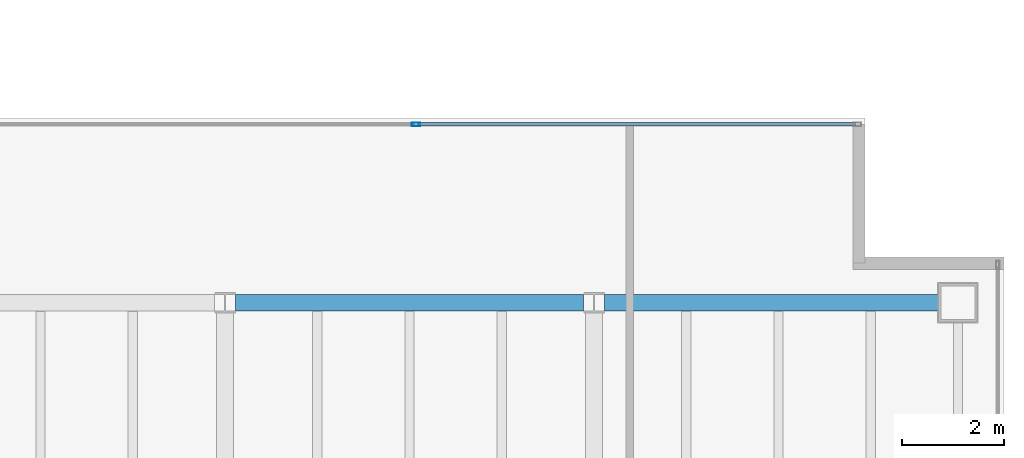
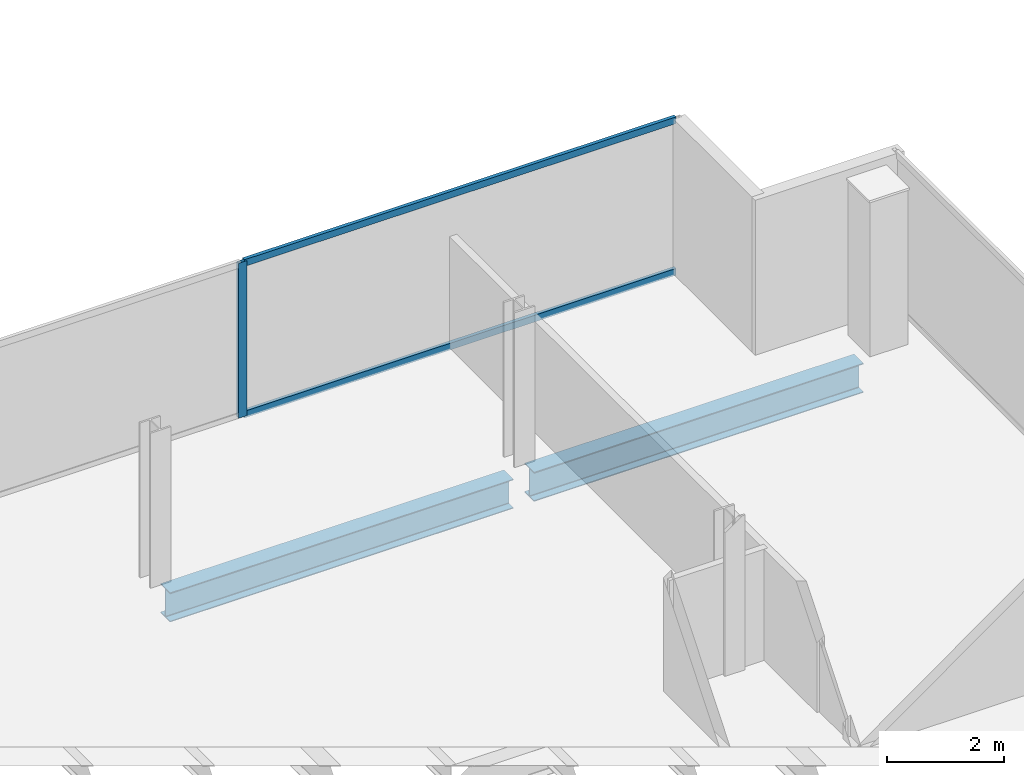
# One storey, part 15 of 23: 3 members, 2 beams, 1 element without a shape of its own.
"""IFC4 building model written with IfcOpenShell, lengths in metres."""

from ifc_helpers import new_model, si_unit, direction, frame, origin, origin_2d, place, context, subcontext, project, spatial, hollow_rectangle, i_section, extrude, material, material_profile, profile_set, type_object, element, aggregate, save


model = new_model("IFC4")

# Units and contexts
model_context = context("Model", 3, precision=1e-05, world=origin(), true_north=direction((0.0, 1.0)))
body_context = subcontext(model_context, "Body", "Model", "MODEL_VIEW")
ifc_project = project(units=[si_unit("LENGTHUNIT", "METRE"), si_unit("AREAUNIT", "SQUARE_METRE"), si_unit("VOLUMEUNIT", "CUBIC_METRE"), si_unit("PLANEANGLEUNIT", "RADIAN"), si_unit("MASSUNIT", "GRAM", prefix="KILO")], contexts=[model_context])

# Site, building, storey
site_placement = place(None, origin())
site = spatial("IfcSite", under=ifc_project, at=site_placement, CompositionType="ELEMENT")
building_placement = place(site_placement, origin())
building = spatial("IfcBuilding", under=site, at=building_placement, Name="Cobrela Telecom Tower", CompositionType="ELEMENT")
storey_placement = place(building_placement, frame((0.0, 0.0, 229.25)))
storey = spatial("IfcBuildingStorey", under=building, at=storey_placement, Name="L59", CompositionType="ELEMENT", Elevation=229.25)

# Beams
ifc_material_1 = material(Name="Steel ASTM A992 Grade 50", Category="steel")
ifc_material_profile_1 = material_profile(ifc_material_1, i_section(OverallWidth=0.324951171875, OverallDepth=0.612060546875, WebThickness=0.0126953125, FlangeThickness=0.01904296875, FilletRadius=0.014892578125, at=origin_2d()), Name="W24X104")
ifc_profile_set_1 = profile_set([ifc_material_profile_1], Name="Steel ASTM A992 Grade 50")
beam_type = type_object("IfcBeamType", Name="BM-GIRD-07", PredefinedType="USERDEFINED", material=ifc_profile_set_1)
beam_1_placement = place(storey_placement, frame((29.00439453125, 21.60009765625, -0.56591796875), z_axis=(1.0, 0.0, 0.0), x_axis=(0.0, 1.0, 0.0)))
element("IfcBeam", 1, at=beam_1_placement, inside=storey, type_object=beam_type, Name="L59 Primary Girder X17", ObjectType="GIRDER", PredefinedType="USERDEFINED", context=body_context, shape_type="SweptSolid", body=[
    extrude(i_section(OverallWidth=0.324951171875, OverallDepth=0.612060546875, WebThickness=0.0126953125, FlangeThickness=0.01904296875, FilletRadius=0.014892578125, at=origin_2d()), origin(), (0.0, 0.0, 1.0), 6.791015625),
])
beam_2_placement = place(storey_placement, frame((36.20458984375, 21.60009765625, -0.56591796875), z_axis=(1.0, 0.0, 0.0), x_axis=(0.0, 1.0, 0.0)))
element("IfcBeam", 2, at=beam_2_placement, inside=storey, type_object=beam_type, Name="L59 Primary Girder X18", ObjectType="GIRDER", PredefinedType="USERDEFINED", context=body_context, shape_type="SweptSolid", body=[
    extrude(i_section(OverallWidth=0.324951171875, OverallDepth=0.612060546875, WebThickness=0.0126953125, FlangeThickness=0.01904296875, FilletRadius=0.014892578125, at=origin_2d()), origin(), (0.0, 0.0, 1.0), 6.515380859375),
])

# Curtain wall, members
ifc_material_2 = material(Name="Anodized Bronze Aluminium 6063-T6", Category="aluminium")
curtain_wall_type = type_object("IfcCurtainWallType", Name="CW-SYS-OFF-LO", PredefinedType="USERDEFINED", material=ifc_material_2)
curtain_wall_placement = place(storey_placement, origin())
curtain_wall = element("IfcCurtainWall", 3, at=curtain_wall_placement, inside=storey, type_object=curtain_wall_type, Name="L59 Unitised Bronze Curtain Wall 11", ObjectType="UNITISED CURTAIN WALL", PredefinedType="USERDEFINED")
ifc_material_profile_2 = material_profile(ifc_material_2, hollow_rectangle(XDim=0.070068359375, YDim=0.159912109375, WallThickness=0.00390625, at=origin_2d()), Name="ALU 70x160x4")
ifc_profile_set_2 = profile_set([ifc_material_profile_2], Name="Anodized Bronze Aluminium 6063-T6")
member_type_1 = type_object("IfcMemberType", Name="CW-SYS-OFF-LO-MUL", PredefinedType="MULLION", material=ifc_profile_set_2)
member_1_placement = place(storey_placement, frame((32.52490234375, 25.080078125, 0.0), z_axis=(0.0, 0.0, 1.0), x_axis=(0.0, 1.0, 0.0)))
member_1 = element("IfcMember", 4, at=member_1_placement, type_object=member_type_1, Name="CW-OFF-LO mullion 2", PredefinedType="MULLION", context=body_context, shape_type="SweptSolid", body=[
    extrude(hollow_rectangle(XDim=0.070068359375, YDim=0.159912109375, WallThickness=0.00390625, at=origin_2d()), origin(), (0.0, 0.0, 1.0), 3.239990234375),
])
ifc_material_profile_3 = material_profile(ifc_material_2, hollow_rectangle(XDim=0.070068359375, YDim=0.139892578125, WallThickness=0.00390625, at=origin_2d()), Name="ALU 70x140x4")
ifc_profile_set_3 = profile_set([ifc_material_profile_3], Name="Anodized Bronze Aluminium 6063-T6")
member_type_2 = type_object("IfcMemberType", Name="CW-SYS-OFF-LO-TRN", PredefinedType="USERDEFINED", material=ifc_profile_set_3)
member_2_placement = place(storey_placement, frame((32.56005859375, 25.080078125, 0.034912109375), z_axis=(1.0, 0.0, 0.0), x_axis=(0.0, 1.0, 0.0)))
member_2 = element("IfcMember", 5, at=member_2_placement, type_object=member_type_2, Name="CW-OFF-LO transom 2.1", ObjectType="TRANSOM", PredefinedType="USERDEFINED", context=body_context, shape_type="SweptSolid", body=[
    extrude(hollow_rectangle(XDim=0.070068359375, YDim=0.139892578125, WallThickness=0.00390625, at=origin_2d()), origin(), (0.0, 0.0, 1.0), 8.5400390625),
])
member_3_placement = place(storey_placement, frame((32.56005859375, 25.080078125, 3.205078125), z_axis=(1.0, 0.0, 0.0), x_axis=(0.0, 1.0, 0.0)))
member_3 = element("IfcMember", 6, at=member_3_placement, type_object=member_type_2, Name="CW-OFF-LO transom 2.2", ObjectType="TRANSOM", PredefinedType="USERDEFINED", context=body_context, shape_type="SweptSolid", body=[
    extrude(hollow_rectangle(XDim=0.070068359375, YDim=0.139892578125, WallThickness=0.00390625, at=origin_2d()), origin(), (0.0, 0.0, 1.0), 8.5400390625),
])
aggregate(curtain_wall, [member_1, member_2, member_3])

save(model, "model.ifc")
